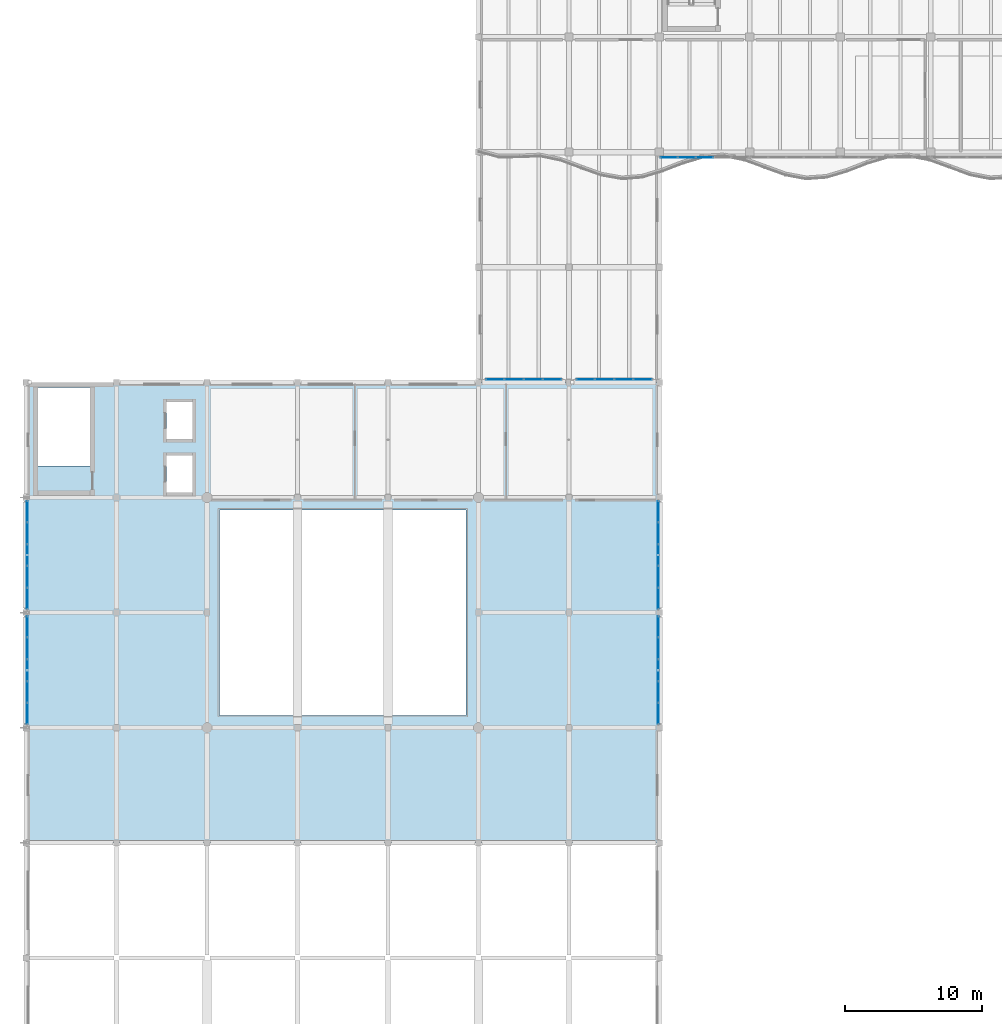
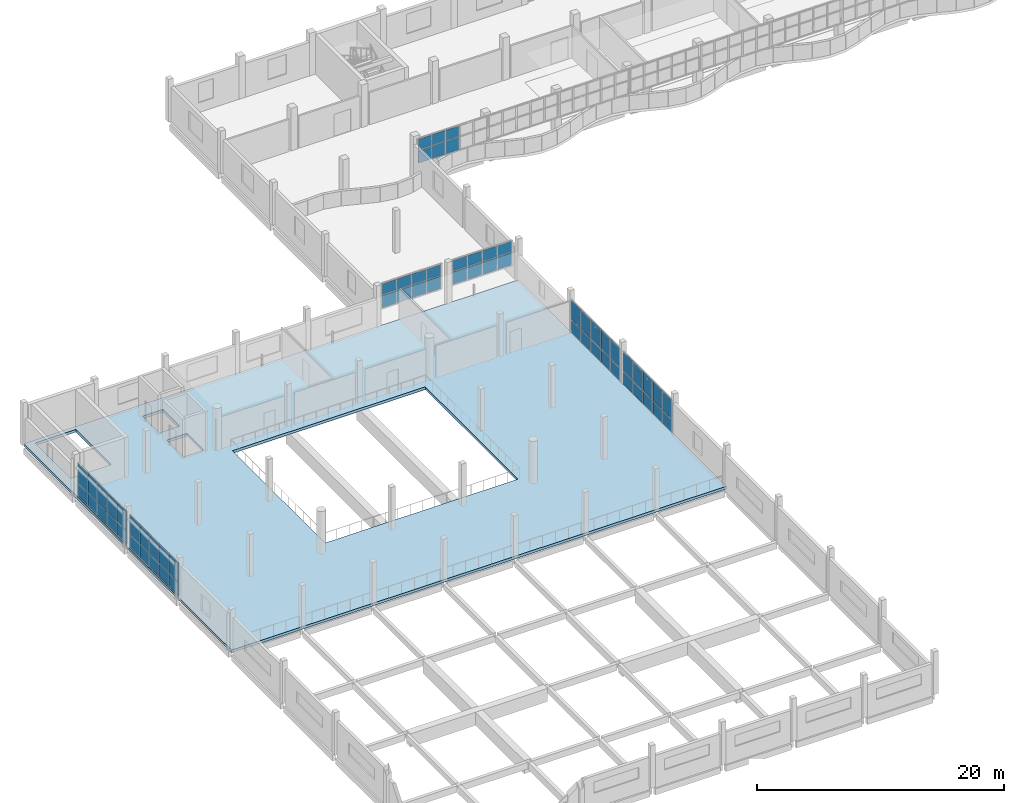
# One storey, part 33 of 74: 62 plates, 1 slab, 7 elements without a shape of their own.
"""IFC4 building model written with IfcOpenShell, lengths in metres."""

from ifc_helpers import new_model, si_unit, direction, frame, origin, origin_2d, place, context, subcontext, project, spatial, polyline, rectangle, outline, extrude, material, layer, layer_set, type_object, element, aggregate, save


model = new_model("IFC4")

# Units and contexts
model_context = context("Model", 3, precision=1e-05, world=origin(), true_north=direction((0.0, 1.0)))
body_context = subcontext(model_context, "Body", "Model", "MODEL_VIEW")
ifc_project = project(units=[si_unit("LENGTHUNIT", "METRE"), si_unit("AREAUNIT", "SQUARE_METRE"), si_unit("VOLUMEUNIT", "CUBIC_METRE"), si_unit("PLANEANGLEUNIT", "RADIAN"), si_unit("MASSUNIT", "GRAM", prefix="KILO")], contexts=[model_context])

# Site, building, storey
site_placement = place(None, origin())
site = spatial("IfcSite", under=ifc_project, at=site_placement, CompositionType="ELEMENT")
building_placement = place(site_placement, origin())
building = spatial("IfcBuilding", under=site, at=building_placement, Name="Qaldarim Faculty of Natural and Applied Sciences", CompositionType="ELEMENT")
storey_placement = place(building_placement, frame((0.0, 0.0, 14.39990234375)))
storey = spatial("IfcBuildingStorey", under=building, at=storey_placement, Name="L03", CompositionType="ELEMENT", Elevation=14.39990234375)

# Curtain wall, plates
ifc_material_1 = material(Name="Anodised aluminium AW-6063", Category="aluminium")
curtain_wall_type_1 = type_object("IfcCurtainWallType", Name="CurtainWallSystem-M1500", PredefinedType="USERDEFINED", material=ifc_material_1)
curtain_wall_1_placement = place(storey_placement, origin())
curtain_wall_1 = element("IfcCurtainWall", 1, at=curtain_wall_1_placement, inside=storey, type_object=curtain_wall_type_1, Name="Curtain wall CW-L03-W-X01Y08", ObjectType="STICK CURTAIN WALL", PredefinedType="USERDEFINED")
ifc_material_2 = material(Name="Champagne anodised aluminium AW-6063", Category="aluminium")
ifc_layer_1 = layer(ifc_material_2, 0.0400390625)
ifc_layer_set_1 = layer_set([ifc_layer_1], Name="Champagne anodised aluminium AW-6063")
plate_type_1 = type_object("IfcPlateType", Name="InsulatedSpandrelPanel-40", PredefinedType="CURTAIN_PANEL", material=ifc_layer_set_1)
plate_1_placement = place(storey_placement, frame((0.080078125, 66.1689453125, 0.06005859375), z_axis=(0.0, 0.0, 1.0), x_axis=(0.0, -1.0, 0.0)))
plate_1 = element("IfcPlate", 2, at=plate_1_placement, type_object=plate_type_1, Name="Glazed panel 1-1 of CW-L03-W-X01Y08", PredefinedType="CURTAIN_PANEL", context=body_context, shape_type="SweptSolid", body=[
    extrude(rectangle(XDim=1.501953125, YDim=0.0400390625, at=origin_2d()), origin(), (0.0, 0.0, 1.0), 1.260009765625),
])
plate_2_placement = place(storey_placement, frame((0.080078125, 66.1689453125, 1.380126953125), z_axis=(0.0, 0.0, 1.0), x_axis=(0.0, -1.0, 0.0)))
plate_2 = element("IfcPlate", 3, at=plate_2_placement, type_object=plate_type_1, Name="Glazed panel 1-2 of CW-L03-W-X01Y08", PredefinedType="CURTAIN_PANEL", context=body_context, shape_type="SweptSolid", body=[
    extrude(rectangle(XDim=1.501953125, YDim=0.0400390625, at=origin_2d()), origin(), (0.0, 0.0, 1.0), 1.89990234375),
])
plate_3_placement = place(storey_placement, frame((0.080078125, 64.592041015625, 0.06005859375), z_axis=(0.0, 0.0, 1.0), x_axis=(0.0, -1.0, 0.0)))
plate_3 = element("IfcPlate", 4, at=plate_3_placement, type_object=plate_type_1, Name="Glazed panel 2-1 of CW-L03-W-X01Y08", PredefinedType="CURTAIN_PANEL", context=body_context, shape_type="SweptSolid", body=[
    extrude(rectangle(XDim=1.531982421875, YDim=0.0400390625, at=origin_2d()), origin(), (0.0, 0.0, 1.0), 1.260009765625),
])
plate_4_placement = place(storey_placement, frame((0.080078125, 64.592041015625, 1.380126953125), z_axis=(0.0, 0.0, 1.0), x_axis=(0.0, -1.0, 0.0)))
plate_4 = element("IfcPlate", 5, at=plate_4_placement, type_object=plate_type_1, Name="Glazed panel 2-2 of CW-L03-W-X01Y08", PredefinedType="CURTAIN_PANEL", context=body_context, shape_type="SweptSolid", body=[
    extrude(rectangle(XDim=1.531982421875, YDim=0.0400390625, at=origin_2d()), origin(), (0.0, 0.0, 1.0), 1.89990234375),
])
plate_5_placement = place(storey_placement, frame((0.080078125, 63.0, 0.06005859375), z_axis=(0.0, 0.0, 1.0), x_axis=(0.0, -1.0, 0.0)))
plate_5 = element("IfcPlate", 6, at=plate_5_placement, type_object=plate_type_1, Name="Glazed panel 3-1 of CW-L03-W-X01Y08", PredefinedType="CURTAIN_PANEL", context=body_context, shape_type="SweptSolid", body=[
    extrude(rectangle(XDim=1.531982421875, YDim=0.0400390625, at=origin_2d()), origin(), (0.0, 0.0, 1.0), 1.260009765625),
])
plate_6_placement = place(storey_placement, frame((0.080078125, 63.0, 1.380126953125), z_axis=(0.0, 0.0, 1.0), x_axis=(0.0, -1.0, 0.0)))
plate_6 = element("IfcPlate", 7, at=plate_6_placement, type_object=plate_type_1, Name="Glazed panel 3-2 of CW-L03-W-X01Y08", PredefinedType="CURTAIN_PANEL", context=body_context, shape_type="SweptSolid", body=[
    extrude(rectangle(XDim=1.531982421875, YDim=0.0400390625, at=origin_2d()), origin(), (0.0, 0.0, 1.0), 1.89990234375),
])
plate_7_placement = place(storey_placement, frame((0.080078125, 61.407958984375, 0.06005859375), z_axis=(0.0, 0.0, 1.0), x_axis=(0.0, -1.0, 0.0)))
plate_7 = element("IfcPlate", 8, at=plate_7_placement, type_object=plate_type_1, Name="Glazed panel 4-1 of CW-L03-W-X01Y08", PredefinedType="CURTAIN_PANEL", context=body_context, shape_type="SweptSolid", body=[
    extrude(rectangle(XDim=1.531982421875, YDim=0.0400390625, at=origin_2d()), origin(), (0.0, 0.0, 1.0), 1.260009765625),
])
plate_8_placement = place(storey_placement, frame((0.080078125, 61.407958984375, 1.380126953125), z_axis=(0.0, 0.0, 1.0), x_axis=(0.0, -1.0, 0.0)))
plate_8 = element("IfcPlate", 9, at=plate_8_placement, type_object=plate_type_1, Name="Glazed panel 4-2 of CW-L03-W-X01Y08", PredefinedType="CURTAIN_PANEL", context=body_context, shape_type="SweptSolid", body=[
    extrude(rectangle(XDim=1.531982421875, YDim=0.0400390625, at=origin_2d()), origin(), (0.0, 0.0, 1.0), 1.89990234375),
])
plate_9_placement = place(storey_placement, frame((0.080078125, 59.8310546875, 0.06005859375), z_axis=(0.0, 0.0, 1.0), x_axis=(0.0, -1.0, 0.0)))
plate_9 = element("IfcPlate", 10, at=plate_9_placement, type_object=plate_type_1, Name="Glazed panel 5-1 of CW-L03-W-X01Y08", PredefinedType="CURTAIN_PANEL", context=body_context, shape_type="SweptSolid", body=[
    extrude(rectangle(XDim=1.501953125, YDim=0.0400390625, at=origin_2d()), origin(), (0.0, 0.0, 1.0), 1.260009765625),
])
plate_10_placement = place(storey_placement, frame((0.080078125, 59.8310546875, 1.380126953125), z_axis=(0.0, 0.0, 1.0), x_axis=(0.0, -1.0, 0.0)))
plate_10 = element("IfcPlate", 11, at=plate_10_placement, type_object=plate_type_1, Name="Glazed panel 5-2 of CW-L03-W-X01Y08", PredefinedType="CURTAIN_PANEL", context=body_context, shape_type="SweptSolid", body=[
    extrude(rectangle(XDim=1.501953125, YDim=0.0400390625, at=origin_2d()), origin(), (0.0, 0.0, 1.0), 1.89990234375),
])
aggregate(curtain_wall_1, [plate_1, plate_2, plate_3, plate_4, plate_5, plate_6, plate_7, plate_8, plate_9, plate_10])

curtain_wall_2_placement = place(storey_placement, origin())
curtain_wall_2 = element("IfcCurtainWall", 12, at=curtain_wall_2_placement, inside=storey, type_object=curtain_wall_type_1, Name="Curtain wall CW-L03-W-X01Y09", ObjectType="STICK CURTAIN WALL", PredefinedType="USERDEFINED")
plate_11_placement = place(storey_placement, frame((0.080078125, 74.569091796875, 0.06005859375), z_axis=(0.0, 0.0, 1.0), x_axis=(0.0, -1.0, 0.0)))
plate_11 = element("IfcPlate", 13, at=plate_11_placement, type_object=plate_type_1, Name="Glazed panel 1-1 of CW-L03-W-X01Y09", PredefinedType="CURTAIN_PANEL", context=body_context, shape_type="SweptSolid", body=[
    extrude(rectangle(XDim=1.501953125, YDim=0.0400390625, at=origin_2d()), origin(), (0.0, 0.0, 1.0), 1.260009765625),
])
plate_12_placement = place(storey_placement, frame((0.080078125, 74.569091796875, 1.380126953125), z_axis=(0.0, 0.0, 1.0), x_axis=(0.0, -1.0, 0.0)))
plate_12 = element("IfcPlate", 14, at=plate_12_placement, type_object=plate_type_1, Name="Glazed panel 1-2 of CW-L03-W-X01Y09", PredefinedType="CURTAIN_PANEL", context=body_context, shape_type="SweptSolid", body=[
    extrude(rectangle(XDim=1.501953125, YDim=0.0400390625, at=origin_2d()), origin(), (0.0, 0.0, 1.0), 1.89990234375),
])
plate_13_placement = place(storey_placement, frame((0.080078125, 72.991943359375, 0.06005859375), z_axis=(0.0, 0.0, 1.0), x_axis=(0.0, -1.0, 0.0)))
plate_13 = element("IfcPlate", 15, at=plate_13_placement, type_object=plate_type_1, Name="Glazed panel 2-1 of CW-L03-W-X01Y09", PredefinedType="CURTAIN_PANEL", context=body_context, shape_type="SweptSolid", body=[
    extrude(rectangle(XDim=1.531982421875, YDim=0.0400390625, at=origin_2d()), origin(), (0.0, 0.0, 1.0), 1.260009765625),
])
plate_14_placement = place(storey_placement, frame((0.080078125, 72.991943359375, 1.380126953125), z_axis=(0.0, 0.0, 1.0), x_axis=(0.0, -1.0, 0.0)))
plate_14 = element("IfcPlate", 16, at=plate_14_placement, type_object=plate_type_1, Name="Glazed panel 2-2 of CW-L03-W-X01Y09", PredefinedType="CURTAIN_PANEL", context=body_context, shape_type="SweptSolid", body=[
    extrude(rectangle(XDim=1.531982421875, YDim=0.0400390625, at=origin_2d()), origin(), (0.0, 0.0, 1.0), 1.89990234375),
])
plate_15_placement = place(storey_placement, frame((0.080078125, 71.39990234375, 0.06005859375), z_axis=(0.0, 0.0, 1.0), x_axis=(0.0, -1.0, 0.0)))
plate_15 = element("IfcPlate", 17, at=plate_15_placement, type_object=plate_type_1, Name="Glazed panel 3-1 of CW-L03-W-X01Y09", PredefinedType="CURTAIN_PANEL", context=body_context, shape_type="SweptSolid", body=[
    extrude(rectangle(XDim=1.531982421875, YDim=0.0400390625, at=origin_2d()), origin(), (0.0, 0.0, 1.0), 1.260009765625),
])
plate_16_placement = place(storey_placement, frame((0.080078125, 71.39990234375, 1.380126953125), z_axis=(0.0, 0.0, 1.0), x_axis=(0.0, -1.0, 0.0)))
plate_16 = element("IfcPlate", 18, at=plate_16_placement, type_object=plate_type_1, Name="Glazed panel 3-2 of CW-L03-W-X01Y09", PredefinedType="CURTAIN_PANEL", context=body_context, shape_type="SweptSolid", body=[
    extrude(rectangle(XDim=1.531982421875, YDim=0.0400390625, at=origin_2d()), origin(), (0.0, 0.0, 1.0), 1.89990234375),
])
plate_17_placement = place(storey_placement, frame((0.080078125, 69.80810546875, 0.06005859375), z_axis=(0.0, 0.0, 1.0), x_axis=(0.0, -1.0, 0.0)))
plate_17 = element("IfcPlate", 19, at=plate_17_placement, type_object=plate_type_1, Name="Glazed panel 4-1 of CW-L03-W-X01Y09", PredefinedType="CURTAIN_PANEL", context=body_context, shape_type="SweptSolid", body=[
    extrude(rectangle(XDim=1.531982421875, YDim=0.0400390625, at=origin_2d()), origin(), (0.0, 0.0, 1.0), 1.260009765625),
])
plate_18_placement = place(storey_placement, frame((0.080078125, 69.80810546875, 1.380126953125), z_axis=(0.0, 0.0, 1.0), x_axis=(0.0, -1.0, 0.0)))
plate_18 = element("IfcPlate", 20, at=plate_18_placement, type_object=plate_type_1, Name="Glazed panel 4-2 of CW-L03-W-X01Y09", PredefinedType="CURTAIN_PANEL", context=body_context, shape_type="SweptSolid", body=[
    extrude(rectangle(XDim=1.531982421875, YDim=0.0400390625, at=origin_2d()), origin(), (0.0, 0.0, 1.0), 1.89990234375),
])
plate_19_placement = place(storey_placement, frame((0.080078125, 68.23095703125, 0.06005859375), z_axis=(0.0, 0.0, 1.0), x_axis=(0.0, -1.0, 0.0)))
plate_19 = element("IfcPlate", 21, at=plate_19_placement, type_object=plate_type_1, Name="Glazed panel 5-1 of CW-L03-W-X01Y09", PredefinedType="CURTAIN_PANEL", context=body_context, shape_type="SweptSolid", body=[
    extrude(rectangle(XDim=1.501953125, YDim=0.0400390625, at=origin_2d()), origin(), (0.0, 0.0, 1.0), 1.260009765625),
])
plate_20_placement = place(storey_placement, frame((0.080078125, 68.23095703125, 1.380126953125), z_axis=(0.0, 0.0, 1.0), x_axis=(0.0, -1.0, 0.0)))
plate_20 = element("IfcPlate", 22, at=plate_20_placement, type_object=plate_type_1, Name="Glazed panel 5-2 of CW-L03-W-X01Y09", PredefinedType="CURTAIN_PANEL", context=body_context, shape_type="SweptSolid", body=[
    extrude(rectangle(XDim=1.501953125, YDim=0.0400390625, at=origin_2d()), origin(), (0.0, 0.0, 1.0), 1.89990234375),
])
aggregate(curtain_wall_2, [plate_11, plate_12, plate_13, plate_14, plate_15, plate_16, plate_17, plate_18, plate_19, plate_20])

curtain_wall_3_placement = place(storey_placement, origin())
curtain_wall_3 = element("IfcCurtainWall", 23, at=curtain_wall_3_placement, inside=storey, type_object=curtain_wall_type_1, Name="Curtain wall CW-L03-E-X07Y08", ObjectType="STICK CURTAIN WALL", PredefinedType="USERDEFINED")
plate_21_placement = place(storey_placement, frame((46.1201171875, 59.8310546875, 0.06005859375), z_axis=(0.0, 0.0, 1.0), x_axis=(0.0, 1.0, 0.0)))
plate_21 = element("IfcPlate", 24, at=plate_21_placement, type_object=plate_type_1, Name="Glazed panel 1-1 of CW-L03-E-X07Y08", PredefinedType="CURTAIN_PANEL", context=body_context, shape_type="SweptSolid", body=[
    extrude(rectangle(XDim=1.501953125, YDim=0.0400390625, at=origin_2d()), origin(), (0.0, 0.0, 1.0), 1.260009765625),
])
plate_22_placement = place(storey_placement, frame((46.1201171875, 59.8310546875, 1.380126953125), z_axis=(0.0, 0.0, 1.0), x_axis=(0.0, 1.0, 0.0)))
plate_22 = element("IfcPlate", 25, at=plate_22_placement, type_object=plate_type_1, Name="Glazed panel 1-2 of CW-L03-E-X07Y08", PredefinedType="CURTAIN_PANEL", context=body_context, shape_type="SweptSolid", body=[
    extrude(rectangle(XDim=1.501953125, YDim=0.0400390625, at=origin_2d()), origin(), (0.0, 0.0, 1.0), 1.89990234375),
])
plate_23_placement = place(storey_placement, frame((46.1201171875, 61.407958984375, 0.06005859375), z_axis=(0.0, 0.0, 1.0), x_axis=(0.0, 1.0, 0.0)))
plate_23 = element("IfcPlate", 26, at=plate_23_placement, type_object=plate_type_1, Name="Glazed panel 2-1 of CW-L03-E-X07Y08", PredefinedType="CURTAIN_PANEL", context=body_context, shape_type="SweptSolid", body=[
    extrude(rectangle(XDim=1.531982421875, YDim=0.0400390625, at=origin_2d()), origin(), (0.0, 0.0, 1.0), 1.260009765625),
])
plate_24_placement = place(storey_placement, frame((46.1201171875, 61.407958984375, 1.380126953125), z_axis=(0.0, 0.0, 1.0), x_axis=(0.0, 1.0, 0.0)))
plate_24 = element("IfcPlate", 27, at=plate_24_placement, type_object=plate_type_1, Name="Glazed panel 2-2 of CW-L03-E-X07Y08", PredefinedType="CURTAIN_PANEL", context=body_context, shape_type="SweptSolid", body=[
    extrude(rectangle(XDim=1.531982421875, YDim=0.0400390625, at=origin_2d()), origin(), (0.0, 0.0, 1.0), 1.89990234375),
])
plate_25_placement = place(storey_placement, frame((46.1201171875, 63.0, 0.06005859375), z_axis=(0.0, 0.0, 1.0), x_axis=(0.0, 1.0, 0.0)))
plate_25 = element("IfcPlate", 28, at=plate_25_placement, type_object=plate_type_1, Name="Glazed panel 3-1 of CW-L03-E-X07Y08", PredefinedType="CURTAIN_PANEL", context=body_context, shape_type="SweptSolid", body=[
    extrude(rectangle(XDim=1.531982421875, YDim=0.0400390625, at=origin_2d()), origin(), (0.0, 0.0, 1.0), 1.260009765625),
])
plate_26_placement = place(storey_placement, frame((46.1201171875, 63.0, 1.380126953125), z_axis=(0.0, 0.0, 1.0), x_axis=(0.0, 1.0, 0.0)))
plate_26 = element("IfcPlate", 29, at=plate_26_placement, type_object=plate_type_1, Name="Glazed panel 3-2 of CW-L03-E-X07Y08", PredefinedType="CURTAIN_PANEL", context=body_context, shape_type="SweptSolid", body=[
    extrude(rectangle(XDim=1.531982421875, YDim=0.0400390625, at=origin_2d()), origin(), (0.0, 0.0, 1.0), 1.89990234375),
])
plate_27_placement = place(storey_placement, frame((46.1201171875, 64.592041015625, 0.06005859375), z_axis=(0.0, 0.0, 1.0), x_axis=(0.0, 1.0, 0.0)))
plate_27 = element("IfcPlate", 30, at=plate_27_placement, type_object=plate_type_1, Name="Glazed panel 4-1 of CW-L03-E-X07Y08", PredefinedType="CURTAIN_PANEL", context=body_context, shape_type="SweptSolid", body=[
    extrude(rectangle(XDim=1.531982421875, YDim=0.0400390625, at=origin_2d()), origin(), (0.0, 0.0, 1.0), 1.260009765625),
])
plate_28_placement = place(storey_placement, frame((46.1201171875, 64.592041015625, 1.380126953125), z_axis=(0.0, 0.0, 1.0), x_axis=(0.0, 1.0, 0.0)))
plate_28 = element("IfcPlate", 31, at=plate_28_placement, type_object=plate_type_1, Name="Glazed panel 4-2 of CW-L03-E-X07Y08", PredefinedType="CURTAIN_PANEL", context=body_context, shape_type="SweptSolid", body=[
    extrude(rectangle(XDim=1.531982421875, YDim=0.0400390625, at=origin_2d()), origin(), (0.0, 0.0, 1.0), 1.89990234375),
])
plate_29_placement = place(storey_placement, frame((46.1201171875, 66.1689453125, 0.06005859375), z_axis=(0.0, 0.0, 1.0), x_axis=(0.0, 1.0, 0.0)))
plate_29 = element("IfcPlate", 32, at=plate_29_placement, type_object=plate_type_1, Name="Glazed panel 5-1 of CW-L03-E-X07Y08", PredefinedType="CURTAIN_PANEL", context=body_context, shape_type="SweptSolid", body=[
    extrude(rectangle(XDim=1.501953125, YDim=0.0400390625, at=origin_2d()), origin(), (0.0, 0.0, 1.0), 1.260009765625),
])
plate_30_placement = place(storey_placement, frame((46.1201171875, 66.1689453125, 1.380126953125), z_axis=(0.0, 0.0, 1.0), x_axis=(0.0, 1.0, 0.0)))
plate_30 = element("IfcPlate", 33, at=plate_30_placement, type_object=plate_type_1, Name="Glazed panel 5-2 of CW-L03-E-X07Y08", PredefinedType="CURTAIN_PANEL", context=body_context, shape_type="SweptSolid", body=[
    extrude(rectangle(XDim=1.501953125, YDim=0.0400390625, at=origin_2d()), origin(), (0.0, 0.0, 1.0), 1.89990234375),
])
aggregate(curtain_wall_3, [plate_21, plate_22, plate_23, plate_24, plate_25, plate_26, plate_27, plate_28, plate_29, plate_30])

curtain_wall_4_placement = place(storey_placement, origin())
curtain_wall_4 = element("IfcCurtainWall", 34, at=curtain_wall_4_placement, inside=storey, type_object=curtain_wall_type_1, Name="Curtain wall CW-L03-E-X07Y09", ObjectType="STICK CURTAIN WALL", PredefinedType="USERDEFINED")
plate_31_placement = place(storey_placement, frame((46.1201171875, 68.23095703125, 0.06005859375), z_axis=(0.0, 0.0, 1.0), x_axis=(0.0, 1.0, 0.0)))
plate_31 = element("IfcPlate", 35, at=plate_31_placement, type_object=plate_type_1, Name="Glazed panel 1-1 of CW-L03-E-X07Y09", PredefinedType="CURTAIN_PANEL", context=body_context, shape_type="SweptSolid", body=[
    extrude(rectangle(XDim=1.501953125, YDim=0.0400390625, at=origin_2d()), origin(), (0.0, 0.0, 1.0), 1.260009765625),
])
plate_32_placement = place(storey_placement, frame((46.1201171875, 68.23095703125, 1.380126953125), z_axis=(0.0, 0.0, 1.0), x_axis=(0.0, 1.0, 0.0)))
plate_32 = element("IfcPlate", 36, at=plate_32_placement, type_object=plate_type_1, Name="Glazed panel 1-2 of CW-L03-E-X07Y09", PredefinedType="CURTAIN_PANEL", context=body_context, shape_type="SweptSolid", body=[
    extrude(rectangle(XDim=1.501953125, YDim=0.0400390625, at=origin_2d()), origin(), (0.0, 0.0, 1.0), 1.89990234375),
])
plate_33_placement = place(storey_placement, frame((46.1201171875, 69.80810546875, 0.06005859375), z_axis=(0.0, 0.0, 1.0), x_axis=(0.0, 1.0, 0.0)))
plate_33 = element("IfcPlate", 37, at=plate_33_placement, type_object=plate_type_1, Name="Glazed panel 2-1 of CW-L03-E-X07Y09", PredefinedType="CURTAIN_PANEL", context=body_context, shape_type="SweptSolid", body=[
    extrude(rectangle(XDim=1.531982421875, YDim=0.0400390625, at=origin_2d()), origin(), (0.0, 0.0, 1.0), 1.260009765625),
])
plate_34_placement = place(storey_placement, frame((46.1201171875, 69.80810546875, 1.380126953125), z_axis=(0.0, 0.0, 1.0), x_axis=(0.0, 1.0, 0.0)))
plate_34 = element("IfcPlate", 38, at=plate_34_placement, type_object=plate_type_1, Name="Glazed panel 2-2 of CW-L03-E-X07Y09", PredefinedType="CURTAIN_PANEL", context=body_context, shape_type="SweptSolid", body=[
    extrude(rectangle(XDim=1.531982421875, YDim=0.0400390625, at=origin_2d()), origin(), (0.0, 0.0, 1.0), 1.89990234375),
])
plate_35_placement = place(storey_placement, frame((46.1201171875, 71.39990234375, 0.06005859375), z_axis=(0.0, 0.0, 1.0), x_axis=(0.0, 1.0, 0.0)))
plate_35 = element("IfcPlate", 39, at=plate_35_placement, type_object=plate_type_1, Name="Glazed panel 3-1 of CW-L03-E-X07Y09", PredefinedType="CURTAIN_PANEL", context=body_context, shape_type="SweptSolid", body=[
    extrude(rectangle(XDim=1.531982421875, YDim=0.0400390625, at=origin_2d()), origin(), (0.0, 0.0, 1.0), 1.260009765625),
])
plate_36_placement = place(storey_placement, frame((46.1201171875, 71.39990234375, 1.380126953125), z_axis=(0.0, 0.0, 1.0), x_axis=(0.0, 1.0, 0.0)))
plate_36 = element("IfcPlate", 40, at=plate_36_placement, type_object=plate_type_1, Name="Glazed panel 3-2 of CW-L03-E-X07Y09", PredefinedType="CURTAIN_PANEL", context=body_context, shape_type="SweptSolid", body=[
    extrude(rectangle(XDim=1.531982421875, YDim=0.0400390625, at=origin_2d()), origin(), (0.0, 0.0, 1.0), 1.89990234375),
])
plate_37_placement = place(storey_placement, frame((46.1201171875, 72.991943359375, 0.06005859375), z_axis=(0.0, 0.0, 1.0), x_axis=(0.0, 1.0, 0.0)))
plate_37 = element("IfcPlate", 41, at=plate_37_placement, type_object=plate_type_1, Name="Glazed panel 4-1 of CW-L03-E-X07Y09", PredefinedType="CURTAIN_PANEL", context=body_context, shape_type="SweptSolid", body=[
    extrude(rectangle(XDim=1.531982421875, YDim=0.0400390625, at=origin_2d()), origin(), (0.0, 0.0, 1.0), 1.260009765625),
])
plate_38_placement = place(storey_placement, frame((46.1201171875, 72.991943359375, 1.380126953125), z_axis=(0.0, 0.0, 1.0), x_axis=(0.0, 1.0, 0.0)))
plate_38 = element("IfcPlate", 42, at=plate_38_placement, type_object=plate_type_1, Name="Glazed panel 4-2 of CW-L03-E-X07Y09", PredefinedType="CURTAIN_PANEL", context=body_context, shape_type="SweptSolid", body=[
    extrude(rectangle(XDim=1.531982421875, YDim=0.0400390625, at=origin_2d()), origin(), (0.0, 0.0, 1.0), 1.89990234375),
])
plate_39_placement = place(storey_placement, frame((46.1201171875, 74.569091796875, 0.06005859375), z_axis=(0.0, 0.0, 1.0), x_axis=(0.0, 1.0, 0.0)))
plate_39 = element("IfcPlate", 43, at=plate_39_placement, type_object=plate_type_1, Name="Glazed panel 5-1 of CW-L03-E-X07Y09", PredefinedType="CURTAIN_PANEL", context=body_context, shape_type="SweptSolid", body=[
    extrude(rectangle(XDim=1.501953125, YDim=0.0400390625, at=origin_2d()), origin(), (0.0, 0.0, 1.0), 1.260009765625),
])
plate_40_placement = place(storey_placement, frame((46.1201171875, 74.569091796875, 1.380126953125), z_axis=(0.0, 0.0, 1.0), x_axis=(0.0, 1.0, 0.0)))
plate_40 = element("IfcPlate", 44, at=plate_40_placement, type_object=plate_type_1, Name="Glazed panel 5-2 of CW-L03-E-X07Y09", PredefinedType="CURTAIN_PANEL", context=body_context, shape_type="SweptSolid", body=[
    extrude(rectangle(XDim=1.501953125, YDim=0.0400390625, at=origin_2d()), origin(), (0.0, 0.0, 1.0), 1.89990234375),
])
aggregate(curtain_wall_4, [plate_31, plate_32, plate_33, plate_34, plate_35, plate_36, plate_37, plate_38, plate_39, plate_40])

# Slab
ifc_material_3 = material(Name="Concrete C40/50", Category="concrete")
ifc_layer_2 = layer(ifc_material_3, 0.260009765625)
ifc_layer_set_2 = layer_set([ifc_layer_2], Name="Concrete C40/50")
slab_type = type_object("IfcSlabType", Name="LaboratoryFloorSlab-260", PredefinedType="FLOOR", material=ifc_layer_set_2)
slab_placement = place(storey_placement, frame((0.0, 0.0, -0.260009765625)))
element("IfcSlab", 45, at=slab_placement, inside=storey, type_object=slab_type, Name="Floor slab L03 WEST", PredefinedType="FLOOR", context=body_context, shape_type="SweptSolid", body=[
    extrude(outline(polyline([(0.0, 50.39990234375), (0.0, 84.0), (46.199951171875, 84.0), (46.199951171875, 50.39990234375), (0.0, 50.39990234375)]), holes=[polyline([(4.64990234375, 77.9150390625), (4.64990234375, 83.6201171875), (0.85009765625, 83.6201171875), (0.85009765625, 77.9150390625), (4.64990234375, 77.9150390625)]), polyline([(10.25, 75.949951171875), (12.14990234375, 75.949951171875), (12.14990234375, 78.64990234375), (10.25, 78.64990234375), (10.25, 75.949951171875)]), polyline([(10.25, 79.85009765625), (12.14990234375, 79.85009765625), (12.14990234375, 82.550048828125), (10.25, 82.550048828125), (10.25, 79.85009765625)]), polyline([(14.10009765625, 59.699951171875), (32.10009765625, 59.699951171875), (32.10009765625, 74.699951171875), (14.10009765625, 74.699951171875), (14.10009765625, 59.699951171875)])]), origin(), (0.0, 0.0, 1.0), 0.260009765625),
])

# Curtain wall, plates
curtain_wall_type_2 = type_object("IfcCurtainWallType", Name="CurtainWallSystem-M1400", PredefinedType="USERDEFINED", material=ifc_material_1)
curtain_wall_5_placement = place(storey_placement, origin())
curtain_wall_5 = element("IfcCurtainWall", 46, at=curtain_wall_5_placement, inside=storey, type_object=curtain_wall_type_2, Name="Curtain wall CW-V4RIB-L03-X06", ObjectType="STICK CURTAIN WALL", PredefinedType="USERDEFINED")
ifc_material_4 = material(Name="Insulated low-e double glazing", Category="glass")
ifc_layer_3 = layer(ifc_material_4, 0.028076171875)
ifc_layer_set_3 = layer_set([ifc_layer_3], Name="Insulated low-e double glazing")
plate_type_2 = type_object("IfcPlateType", Name="VisionGlazingPanel-28", PredefinedType="CURTAIN_PANEL", material=ifc_layer_set_3)
plate_41_placement = place(storey_placement, frame((34.215087890625, 84.219970703125, 1.51025390625), z_axis=(0.0, 0.0, 1.0), x_axis=(1.0, 0.0, 0.0)))
plate_41 = element("IfcPlate", 47, at=plate_41_placement, type_object=plate_type_2, Name="Glazed panel 1-1 of CW-V4RIB-L03-X06", PredefinedType="CURTAIN_PANEL", context=body_context, shape_type="SweptSolid", body=[
    extrude(rectangle(XDim=1.31005859375, YDim=0.028076171875, at=origin_2d()), origin(), (0.0, 0.0, 1.0), 1.260009765625),
])
plate_42_placement = place(storey_placement, frame((34.215087890625, 84.219970703125, 2.830078125), z_axis=(0.0, 0.0, 1.0), x_axis=(1.0, 0.0, 0.0)))
plate_42 = element("IfcPlate", 48, at=plate_42_placement, type_object=plate_type_2, Name="Glazed panel 1-2 of CW-V4RIB-L03-X06", PredefinedType="CURTAIN_PANEL", context=body_context, shape_type="SweptSolid", body=[
    extrude(rectangle(XDim=1.31005859375, YDim=0.028076171875, at=origin_2d()), origin(), (0.0, 0.0, 1.0), 1.050048828125),
])
plate_43_placement = place(storey_placement, frame((35.60009765625, 84.219970703125, 1.51025390625), z_axis=(0.0, 0.0, 1.0), x_axis=(1.0, 0.0, 0.0)))
plate_43 = element("IfcPlate", 49, at=plate_43_placement, type_object=plate_type_2, Name="Glazed panel 2-1 of CW-V4RIB-L03-X06", PredefinedType="CURTAIN_PANEL", context=body_context, shape_type="SweptSolid", body=[
    extrude(rectangle(XDim=1.340087890625, YDim=0.028076171875, at=origin_2d()), origin(), (0.0, 0.0, 1.0), 1.260009765625),
])
plate_44_placement = place(storey_placement, frame((35.60009765625, 84.219970703125, 2.830078125), z_axis=(0.0, 0.0, 1.0), x_axis=(1.0, 0.0, 0.0)))
plate_44 = element("IfcPlate", 50, at=plate_44_placement, type_object=plate_type_2, Name="Glazed panel 2-2 of CW-V4RIB-L03-X06", PredefinedType="CURTAIN_PANEL", context=body_context, shape_type="SweptSolid", body=[
    extrude(rectangle(XDim=1.340087890625, YDim=0.028076171875, at=origin_2d()), origin(), (0.0, 0.0, 1.0), 1.050048828125),
])
plate_45_placement = place(storey_placement, frame((37.0, 84.219970703125, 1.51025390625), z_axis=(0.0, 0.0, 1.0), x_axis=(1.0, 0.0, 0.0)))
plate_45 = element("IfcPlate", 51, at=plate_45_placement, type_object=plate_type_2, Name="Glazed panel 3-1 of CW-V4RIB-L03-X06", PredefinedType="CURTAIN_PANEL", context=body_context, shape_type="SweptSolid", body=[
    extrude(rectangle(XDim=1.340087890625, YDim=0.028076171875, at=origin_2d()), origin(), (0.0, 0.0, 1.0), 1.260009765625),
])
plate_46_placement = place(storey_placement, frame((37.0, 84.219970703125, 2.830078125), z_axis=(0.0, 0.0, 1.0), x_axis=(1.0, 0.0, 0.0)))
plate_46 = element("IfcPlate", 52, at=plate_46_placement, type_object=plate_type_2, Name="Glazed panel 3-2 of CW-V4RIB-L03-X06", PredefinedType="CURTAIN_PANEL", context=body_context, shape_type="SweptSolid", body=[
    extrude(rectangle(XDim=1.340087890625, YDim=0.028076171875, at=origin_2d()), origin(), (0.0, 0.0, 1.0), 1.050048828125),
])
plate_47_placement = place(storey_placement, frame((38.385009765625, 84.219970703125, 1.51025390625), z_axis=(0.0, 0.0, 1.0), x_axis=(1.0, 0.0, 0.0)))
plate_47 = element("IfcPlate", 53, at=plate_47_placement, type_object=plate_type_2, Name="Glazed panel 4-1 of CW-V4RIB-L03-X06", PredefinedType="CURTAIN_PANEL", context=body_context, shape_type="SweptSolid", body=[
    extrude(rectangle(XDim=1.31005859375, YDim=0.028076171875, at=origin_2d()), origin(), (0.0, 0.0, 1.0), 1.260009765625),
])
plate_48_placement = place(storey_placement, frame((38.385009765625, 84.219970703125, 2.830078125), z_axis=(0.0, 0.0, 1.0), x_axis=(1.0, 0.0, 0.0)))
plate_48 = element("IfcPlate", 54, at=plate_48_placement, type_object=plate_type_2, Name="Glazed panel 4-2 of CW-V4RIB-L03-X06", PredefinedType="CURTAIN_PANEL", context=body_context, shape_type="SweptSolid", body=[
    extrude(rectangle(XDim=1.31005859375, YDim=0.028076171875, at=origin_2d()), origin(), (0.0, 0.0, 1.0), 1.050048828125),
])
aggregate(curtain_wall_5, [plate_41, plate_42, plate_43, plate_44, plate_45, plate_46, plate_47, plate_48])

curtain_wall_6_placement = place(storey_placement, origin())
curtain_wall_6 = element("IfcCurtainWall", 55, at=curtain_wall_6_placement, inside=storey, type_object=curtain_wall_type_2, Name="Curtain wall CW-V4RIB-L03-X07", ObjectType="STICK CURTAIN WALL", PredefinedType="USERDEFINED")
plate_49_placement = place(storey_placement, frame((40.81494140625, 84.219970703125, 1.51025390625), z_axis=(0.0, 0.0, 1.0), x_axis=(1.0, 0.0, 0.0)))
plate_49 = element("IfcPlate", 56, at=plate_49_placement, type_object=plate_type_2, Name="Glazed panel 1-1 of CW-V4RIB-L03-X07", PredefinedType="CURTAIN_PANEL", context=body_context, shape_type="SweptSolid", body=[
    extrude(rectangle(XDim=1.31005859375, YDim=0.028076171875, at=origin_2d()), origin(), (0.0, 0.0, 1.0), 1.260009765625),
])
plate_50_placement = place(storey_placement, frame((40.81494140625, 84.219970703125, 2.830078125), z_axis=(0.0, 0.0, 1.0), x_axis=(1.0, 0.0, 0.0)))
plate_50 = element("IfcPlate", 57, at=plate_50_placement, type_object=plate_type_2, Name="Glazed panel 1-2 of CW-V4RIB-L03-X07", PredefinedType="CURTAIN_PANEL", context=body_context, shape_type="SweptSolid", body=[
    extrude(rectangle(XDim=1.31005859375, YDim=0.028076171875, at=origin_2d()), origin(), (0.0, 0.0, 1.0), 1.050048828125),
])
plate_51_placement = place(storey_placement, frame((42.199951171875, 84.219970703125, 1.51025390625), z_axis=(0.0, 0.0, 1.0), x_axis=(1.0, 0.0, 0.0)))
plate_51 = element("IfcPlate", 58, at=plate_51_placement, type_object=plate_type_2, Name="Glazed panel 2-1 of CW-V4RIB-L03-X07", PredefinedType="CURTAIN_PANEL", context=body_context, shape_type="SweptSolid", body=[
    extrude(rectangle(XDim=1.340087890625, YDim=0.028076171875, at=origin_2d()), origin(), (0.0, 0.0, 1.0), 1.260009765625),
])
plate_52_placement = place(storey_placement, frame((42.199951171875, 84.219970703125, 2.830078125), z_axis=(0.0, 0.0, 1.0), x_axis=(1.0, 0.0, 0.0)))
plate_52 = element("IfcPlate", 59, at=plate_52_placement, type_object=plate_type_2, Name="Glazed panel 2-2 of CW-V4RIB-L03-X07", PredefinedType="CURTAIN_PANEL", context=body_context, shape_type="SweptSolid", body=[
    extrude(rectangle(XDim=1.340087890625, YDim=0.028076171875, at=origin_2d()), origin(), (0.0, 0.0, 1.0), 1.050048828125),
])
plate_53_placement = place(storey_placement, frame((43.60009765625, 84.219970703125, 1.51025390625), z_axis=(0.0, 0.0, 1.0), x_axis=(1.0, 0.0, 0.0)))
plate_53 = element("IfcPlate", 60, at=plate_53_placement, type_object=plate_type_2, Name="Glazed panel 3-1 of CW-V4RIB-L03-X07", PredefinedType="CURTAIN_PANEL", context=body_context, shape_type="SweptSolid", body=[
    extrude(rectangle(XDim=1.340087890625, YDim=0.028076171875, at=origin_2d()), origin(), (0.0, 0.0, 1.0), 1.260009765625),
])
plate_54_placement = place(storey_placement, frame((43.60009765625, 84.219970703125, 2.830078125), z_axis=(0.0, 0.0, 1.0), x_axis=(1.0, 0.0, 0.0)))
plate_54 = element("IfcPlate", 61, at=plate_54_placement, type_object=plate_type_2, Name="Glazed panel 3-2 of CW-V4RIB-L03-X07", PredefinedType="CURTAIN_PANEL", context=body_context, shape_type="SweptSolid", body=[
    extrude(rectangle(XDim=1.340087890625, YDim=0.028076171875, at=origin_2d()), origin(), (0.0, 0.0, 1.0), 1.050048828125),
])
plate_55_placement = place(storey_placement, frame((44.985107421875, 84.219970703125, 1.51025390625), z_axis=(0.0, 0.0, 1.0), x_axis=(1.0, 0.0, 0.0)))
plate_55 = element("IfcPlate", 62, at=plate_55_placement, type_object=plate_type_2, Name="Glazed panel 4-1 of CW-V4RIB-L03-X07", PredefinedType="CURTAIN_PANEL", context=body_context, shape_type="SweptSolid", body=[
    extrude(rectangle(XDim=1.31005859375, YDim=0.028076171875, at=origin_2d()), origin(), (0.0, 0.0, 1.0), 1.260009765625),
])
plate_56_placement = place(storey_placement, frame((44.985107421875, 84.219970703125, 2.830078125), z_axis=(0.0, 0.0, 1.0), x_axis=(1.0, 0.0, 0.0)))
plate_56 = element("IfcPlate", 63, at=plate_56_placement, type_object=plate_type_2, Name="Glazed panel 4-2 of CW-V4RIB-L03-X07", PredefinedType="CURTAIN_PANEL", context=body_context, shape_type="SweptSolid", body=[
    extrude(rectangle(XDim=1.31005859375, YDim=0.028076171875, at=origin_2d()), origin(), (0.0, 0.0, 1.0), 1.050048828125),
])
aggregate(curtain_wall_6, [plate_49, plate_50, plate_51, plate_52, plate_53, plate_54, plate_55, plate_56])

curtain_wall_7_placement = place(storey_placement, origin())
curtain_wall_7 = element("IfcCurtainWall", 64, at=curtain_wall_7_placement, inside=storey, type_object=curtain_wall_type_2, Name="Curtain wall CW-V4RIB-L03-X08", ObjectType="STICK CURTAIN WALL", PredefinedType="USERDEFINED")
plate_57_placement = place(storey_placement, frame((46.906982421875, 100.419921875, 1.51025390625), z_axis=(0.0, 0.0, 1.0), x_axis=(1.0, 0.0, 0.0)))
plate_57 = element("IfcPlate", 65, at=plate_57_placement, type_object=plate_type_2, Name="Glazed panel 1-1 of CW-V4RIB-L03-X08", PredefinedType="CURTAIN_PANEL", context=body_context, shape_type="SweptSolid", body=[
    extrude(rectangle(XDim=1.214111328125, YDim=0.028076171875, at=origin_2d()), origin(), (0.0, 0.0, 1.0), 1.260009765625),
])
plate_58_placement = place(storey_placement, frame((46.906982421875, 100.419921875, 2.830078125), z_axis=(0.0, 0.0, 1.0), x_axis=(1.0, 0.0, 0.0)))
plate_58 = element("IfcPlate", 66, at=plate_58_placement, type_object=plate_type_2, Name="Glazed panel 1-2 of CW-V4RIB-L03-X08", PredefinedType="CURTAIN_PANEL", context=body_context, shape_type="SweptSolid", body=[
    extrude(rectangle(XDim=1.214111328125, YDim=0.028076171875, at=origin_2d()), origin(), (0.0, 0.0, 1.0), 1.050048828125),
])
plate_59_placement = place(storey_placement, frame((48.196044921875, 100.419921875, 1.51025390625), z_axis=(0.0, 0.0, 1.0), x_axis=(1.0, 0.0, 0.0)))
plate_59 = element("IfcPlate", 67, at=plate_59_placement, type_object=plate_type_2, Name="Glazed panel 2-1 of CW-V4RIB-L03-X08", PredefinedType="CURTAIN_PANEL", context=body_context, shape_type="SweptSolid", body=[
    extrude(rectangle(XDim=1.243896484375, YDim=0.028076171875, at=origin_2d()), origin(), (0.0, 0.0, 1.0), 1.260009765625),
])
plate_60_placement = place(storey_placement, frame((48.196044921875, 100.419921875, 2.830078125), z_axis=(0.0, 0.0, 1.0), x_axis=(1.0, 0.0, 0.0)))
plate_60 = element("IfcPlate", 68, at=plate_60_placement, type_object=plate_type_2, Name="Glazed panel 2-2 of CW-V4RIB-L03-X08", PredefinedType="CURTAIN_PANEL", context=body_context, shape_type="SweptSolid", body=[
    extrude(rectangle(XDim=1.243896484375, YDim=0.028076171875, at=origin_2d()), origin(), (0.0, 0.0, 1.0), 1.050048828125),
])
plate_61_placement = place(storey_placement, frame((49.5, 100.419921875, 1.51025390625), z_axis=(0.0, 0.0, 1.0), x_axis=(1.0, 0.0, 0.0)))
plate_61 = element("IfcPlate", 69, at=plate_61_placement, type_object=plate_type_2, Name="Glazed panel 3-1 of CW-V4RIB-L03-X08", PredefinedType="CURTAIN_PANEL", context=body_context, shape_type="SweptSolid", body=[
    extrude(rectangle(XDim=1.243896484375, YDim=0.028076171875, at=origin_2d()), origin(), (0.0, 0.0, 1.0), 1.260009765625),
])
plate_62_placement = place(storey_placement, frame((49.5, 100.419921875, 2.830078125), z_axis=(0.0, 0.0, 1.0), x_axis=(1.0, 0.0, 0.0)))
plate_62 = element("IfcPlate", 70, at=plate_62_placement, type_object=plate_type_2, Name="Glazed panel 3-2 of CW-V4RIB-L03-X08", PredefinedType="CURTAIN_PANEL", context=body_context, shape_type="SweptSolid", body=[
    extrude(rectangle(XDim=1.243896484375, YDim=0.028076171875, at=origin_2d()), origin(), (0.0, 0.0, 1.0), 1.050048828125),
])
aggregate(curtain_wall_7, [plate_57, plate_58, plate_59, plate_60, plate_61, plate_62])

save(model, "model.ifc")
